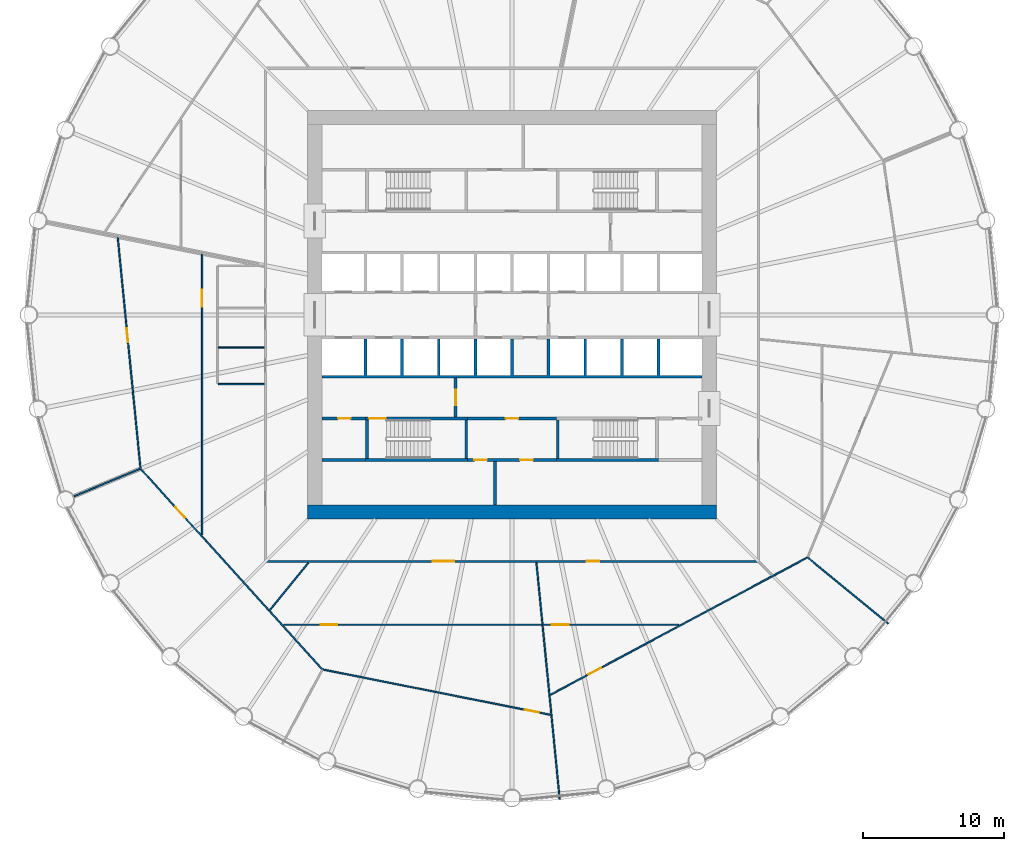
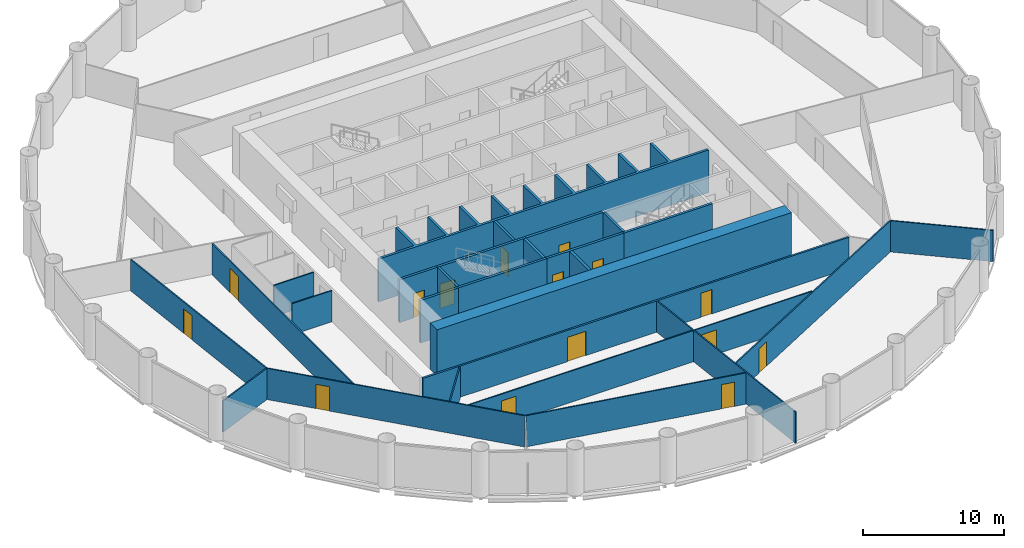
# One storey, part 4 of 9: 28 walls, 15 doors, 15 openings.
"""IFC4 building model written with IfcOpenShell, lengths in metres."""

from ifc_helpers import new_model, si_unit, direction, frame, frame_2d, origin, place, context, subcontext, project, spatial, polyline, rectangle, outline, extrude, material, layer, layer_set, type_object, element, fill, save


model = new_model("IFC4")

# Units and contexts
model_context = context("Model", 3, precision=1e-05, world=origin(), true_north=direction((0.0, 1.0)))
body_context = subcontext(model_context, "Body", "Model", "MODEL_VIEW")
ifc_project = project(units=[si_unit("LENGTHUNIT", "METRE"), si_unit("AREAUNIT", "SQUARE_METRE"), si_unit("VOLUMEUNIT", "CUBIC_METRE"), si_unit("PLANEANGLEUNIT", "RADIAN"), si_unit("MASSUNIT", "GRAM", prefix="KILO")], contexts=[model_context])

# Site, building, storey
site_placement = place(None, origin())
site = spatial("IfcSite", under=ifc_project, at=site_placement, CompositionType="ELEMENT")
building_placement = place(site_placement, origin())
building = spatial("IfcBuilding", under=site, at=building_placement, Name="Corvane Civic Tower", CompositionType="ELEMENT")
storey_placement = place(building_placement, frame((0.0, 0.0, 102.5)))
storey = spatial("IfcBuildingStorey", under=building, at=storey_placement, Name="L23", CompositionType="ELEMENT", Elevation=102.5)

# Wall
ifc_material_1 = material(Name="Concrete C70/85", Category="concrete")
ifc_layer_1 = layer(ifc_material_1, 1.0)
ifc_layer_set_1 = layer_set([ifc_layer_1], Name="Concrete C70/85")
wall_type_1 = type_object("IfcWallType", Name="CORE WALL 1000 C70/85", PredefinedType="SHEAR", material=ifc_layer_set_1)
wall_1_placement = place(storey_placement, frame((-14.5, -14.0, 0.0), z_axis=(0.0, 0.0, 1.0), x_axis=(1.0, 0.0, 0.0)))
element("IfcWall", 1, at=wall_1_placement, inside=storey, type_object=wall_type_1, Name="W-L23-core-S", PredefinedType="SHEAR", context=body_context, shape_type="SweptSolid", body=[
    extrude(rectangle(XDim=29.0, YDim=1.0, at=frame_2d((14.5, 0.0))), origin(), (0.0, 0.0, 1.0), 4.0),
])

# Wall, openings, doors
ifc_material_2 = material(Name="Concrete C30/37", Category="concrete")
ifc_layer_2 = layer(ifc_material_2, 0.199951171875)
ifc_layer_set_2 = layer_set([ifc_layer_2], Name="Concrete C30/37")
wall_type_2 = type_object("IfcWallType", Name="CR-WALL-200", PredefinedType="PARTITIONING", material=ifc_layer_set_2)
wall_2_placement = place(storey_placement, frame((-3.14990234375, -10.300048828125, 0.0), z_axis=(0.0, 0.0, 1.0), x_axis=(1.0, 0.0, 0.0)))
wall_2 = element("IfcWall", 2, at=wall_2_placement, inside=storey, type_object=wall_type_2, Name="L23 partition wall", PredefinedType="PARTITIONING", context=body_context, shape_type="SweptSolid", body=[
    extrude(rectangle(XDim=6.2998046875, YDim=0.199951171875, at=frame_2d((3.14990234375, 0.0))), origin(), (0.0, 0.0, 1.0), 3.699951171875),
])
opening_1_placement = place(wall_2_placement, frame((0.47509765625, 0.0, 0.0)))
opening_1 = element("IfcOpeningElement", 3, at=opening_1_placement, cuts=wall_2, Name="Opening L23.C06", PredefinedType="OPENING", context=body_context, shape_type="SweptSolid", body=[
    extrude(rectangle(XDim=0.89990234375, YDim=2.10009765625, at=frame_2d((0.449951171875, 1.050048828125))), frame((0.0, 0.10986328125, 0.0), z_axis=(0.0, -1.0, 0.0), x_axis=(1.0, 0.0, 0.0)), (0.0, 0.0, 1.0), 0.219970703125),
])
opening_2_placement = place(wall_2_placement, frame((3.72509765625, 0.0, 0.0)))
opening_2 = element("IfcOpeningElement", 4, at=opening_2_placement, cuts=wall_2, Name="Opening L23.C07", PredefinedType="OPENING", context=body_context, shape_type="SweptSolid", body=[
    extrude(rectangle(XDim=0.89990234375, YDim=2.10009765625, at=frame_2d((0.449951171875, 1.050048828125))), frame((0.0, 0.10986328125, 0.0), z_axis=(0.0, -1.0, 0.0), x_axis=(1.0, 0.0, 0.0)), (0.0, 0.0, 1.0), 0.219970703125),
])
ifc_material_3 = material(Name="Steel fire door leaf", Category="steel")
door_type_1 = type_object("IfcDoorType", Name="CR-DOOR-900", OperationType="SINGLE_SWING_LEFT", PredefinedType="DOOR", material=ifc_material_3)
door_1_placement = place(opening_1_placement, origin())
door_1 = element("IfcDoor", 5, at=door_1_placement, inside=storey, type_object=door_type_1, Name="L23 door", OperationType="SINGLE_SWING_LEFT", OverallHeight=2.10009765625, OverallWidth=0.89990234375, PredefinedType="DOOR", context=body_context, shape_type="SweptSolid", body=[
    extrude(rectangle(XDim=0.89990234375, YDim=2.10009765625, at=frame_2d((0.449951171875, 1.050048828125))), frame((0.0, 0.02490234375, 0.0), z_axis=(0.0, -1.0, 0.0), x_axis=(1.0, 0.0, 0.0)), (0.0, 0.0, 1.0), 0.050048828125),
])
fill(opening_1, door_1)
door_2_placement = place(opening_2_placement, origin())
door_2 = element("IfcDoor", 6, at=door_2_placement, inside=storey, type_object=door_type_1, Name="L23 door", OperationType="SINGLE_SWING_LEFT", OverallHeight=2.10009765625, OverallWidth=0.89990234375, PredefinedType="DOOR", context=body_context, shape_type="SweptSolid", body=[
    extrude(rectangle(XDim=0.89990234375, YDim=2.10009765625, at=frame_2d((0.449951171875, 1.050048828125))), frame((0.0, 0.02490234375, 0.0), z_axis=(0.0, -1.0, 0.0), x_axis=(1.0, 0.0, 0.0)), (0.0, 0.0, 1.0), 0.050048828125),
])
fill(opening_2, door_2)

# Wall, opening, door
wall_3_placement = place(storey_placement, frame((-13.5, -7.35009765625, 0.0), z_axis=(0.0, 0.0, 1.0), x_axis=(1.0, 0.0, 0.0)))
wall_3 = element("IfcWall", 7, at=wall_3_placement, inside=storey, type_object=wall_type_2, Name="L23 core partition wall", PredefinedType="PARTITIONING", context=body_context, shape_type="SweptSolid", body=[
    extrude(rectangle(XDim=3.10009765625, YDim=0.199951171875, at=frame_2d((1.550048828125, 0.0))), origin(), (0.0, 0.0, 1.0), 3.699951171875),
])
opening_3_placement = place(wall_3_placement, frame((1.14990234375, 0.0, 0.0)))
opening_3 = element("IfcOpeningElement", 8, at=opening_3_placement, cuts=wall_3, Name="Opening L23.C09", PredefinedType="OPENING", context=body_context, shape_type="SweptSolid", body=[
    extrude(rectangle(XDim=0.89990234375, YDim=2.10009765625, at=frame_2d((0.449951171875, 1.050048828125))), frame((0.0, 0.10986328125, 0.0), z_axis=(0.0, -1.0, 0.0), x_axis=(1.0, 0.0, 0.0)), (0.0, 0.0, 1.0), 0.219970703125),
])
door_3_placement = place(opening_3_placement, origin())
door_3 = element("IfcDoor", 9, at=door_3_placement, inside=storey, type_object=door_type_1, Name="L23 door", OperationType="SINGLE_SWING_LEFT", OverallHeight=2.10009765625, OverallWidth=0.89990234375, PredefinedType="DOOR", context=body_context, shape_type="SweptSolid", body=[
    extrude(rectangle(XDim=0.89990234375, YDim=2.10009765625, at=frame_2d((0.449951171875, 1.050048828125))), frame((0.0, 0.02490234375, 0.0), z_axis=(0.0, -1.0, 0.0), x_axis=(1.0, 0.0, 0.0)), (0.0, 0.0, 1.0), 0.050048828125),
])
fill(opening_3, door_3)

wall_4_placement = place(storey_placement, frame((-3.14990234375, -7.35009765625, 0.0), z_axis=(0.0, 0.0, 1.0), x_axis=(1.0, 0.0, 0.0)))
wall_4 = element("IfcWall", 10, at=wall_4_placement, inside=storey, type_object=wall_type_2, Name="L23 core partition wall", PredefinedType="PARTITIONING", context=body_context, shape_type="SweptSolid", body=[
    extrude(rectangle(XDim=6.2998046875, YDim=0.199951171875, at=frame_2d((3.14990234375, 0.0))), origin(), (0.0, 0.0, 1.0), 3.699951171875),
])
opening_4_placement = place(wall_4_placement, frame((2.699951171875, 0.0, 0.0)))
opening_4 = element("IfcOpeningElement", 11, at=opening_4_placement, cuts=wall_4, Name="Opening L23.C03", PredefinedType="OPENING", context=body_context, shape_type="SweptSolid", body=[
    extrude(rectangle(XDim=0.89990234375, YDim=2.10009765625, at=frame_2d((0.449951171875, 1.050048828125))), frame((0.0, 0.10986328125, 0.0), z_axis=(0.0, -1.0, 0.0), x_axis=(1.0, 0.0, 0.0)), (0.0, 0.0, 1.0), 0.219970703125),
])
door_4_placement = place(opening_4_placement, origin())
door_4 = element("IfcDoor", 12, at=door_4_placement, inside=storey, type_object=door_type_1, Name="L23 door", OperationType="SINGLE_SWING_LEFT", OverallHeight=2.10009765625, OverallWidth=0.89990234375, PredefinedType="DOOR", context=body_context, shape_type="SweptSolid", body=[
    extrude(rectangle(XDim=0.89990234375, YDim=2.10009765625, at=frame_2d((0.449951171875, 1.050048828125))), frame((0.0, 0.02490234375, 0.0), z_axis=(0.0, -1.0, 0.0), x_axis=(1.0, 0.0, 0.0)), (0.0, 0.0, 1.0), 0.050048828125),
])
fill(opening_4, door_4)

wall_5_placement = place(storey_placement, frame((-4.0, -7.25, 0.0), z_axis=(0.0, 0.0, 1.0), x_axis=(0.0, 1.0, 0.0)))
wall_5 = element("IfcWall", 13, at=wall_5_placement, inside=storey, type_object=wall_type_2, Name="L23 core partition wall", PredefinedType="PARTITIONING", context=body_context, shape_type="SweptSolid", body=[
    extrude(rectangle(XDim=2.75, YDim=0.199951171875, at=frame_2d((1.375, 0.0))), origin(), (0.0, 0.0, 1.0), 3.699951171875),
])
opening_5_placement = place(wall_5_placement, frame((0.824951171875, 0.0, 0.0)))
opening_5 = element("IfcOpeningElement", 14, at=opening_5_placement, cuts=wall_5, Name="Opening L23.C19", PredefinedType="OPENING", context=body_context, shape_type="SweptSolid", body=[
    extrude(rectangle(XDim=1.10009765625, YDim=2.10009765625, at=frame_2d((0.550048828125, 1.050048828125))), frame((0.0, 0.10986328125, 0.0), z_axis=(0.0, -1.0, 0.0), x_axis=(1.0, 0.0, 0.0)), (0.0, 0.0, 1.0), 0.219970703125),
])
ifc_material_4 = material(Name="Steel fire door leaf", Category="steel")
door_type_2 = type_object("IfcDoorType", Name="CR-DOOR-FFL-1100", OperationType="SINGLE_SWING_LEFT", PredefinedType="DOOR", material=ifc_material_4)
door_5_placement = place(opening_5_placement, origin())
door_5 = element("IfcDoor", 15, at=door_5_placement, inside=storey, type_object=door_type_2, Name="L23 lobby door", OperationType="SINGLE_SWING_LEFT", OverallHeight=2.10009765625, OverallWidth=1.10009765625, PredefinedType="DOOR", context=body_context, shape_type="SweptSolid", body=[
    extrude(rectangle(XDim=1.10009765625, YDim=2.10009765625, at=frame_2d((0.550048828125, 1.050048828125))), frame((0.0, 0.02490234375, 0.0), z_axis=(0.0, -1.0, 0.0), x_axis=(1.0, 0.0, 0.0)), (0.0, 0.0, 1.0), 0.050048828125),
])
fill(opening_5, door_5)

# Walls
wall_6_placement = place(storey_placement, origin())
element("IfcWall", 16, at=wall_6_placement, inside=storey, type_object=wall_type_2, Name="L23 core partition wall", PredefinedType="PARTITIONING", context=body_context, shape_type="SweptSolid", body=[
    extrude(outline(polyline([(-10.39990234375, -10.39990234375), (-13.5, -10.39990234375), (-13.5, -10.199951171875), (-10.39990234375, -10.199951171875), (-10.39990234375, -10.39990234375)])), origin(), (0.0, 0.0, 1.0), 3.699951171875),
])
wall_7_placement = place(storey_placement, origin())
element("IfcWall", 17, at=wall_7_placement, inside=storey, type_object=wall_type_2, Name="L23 core partition wall", PredefinedType="PARTITIONING", context=body_context, shape_type="SweptSolid", body=[
    extrude(outline(polyline([(-1.10009765625, -10.39990234375), (-1.10009765625, -13.5), (-1.300048828125, -13.5), (-1.300048828125, -10.39990234375), (-1.10009765625, -10.39990234375)])), origin(), (0.0, 0.0, 1.0), 3.699951171875),
])
wall_8_placement = place(storey_placement, origin())
element("IfcWall", 18, at=wall_8_placement, inside=storey, type_object=wall_type_2, Name="L23 core partition wall", PredefinedType="PARTITIONING", context=body_context, shape_type="SweptSolid", body=[
    extrude(outline(polyline([(-10.5, -1.699951171875), (-10.300048828125, -1.699951171875), (-10.300048828125, -4.300048828125), (-7.89990234375, -4.300048828125), (-7.89990234375, -1.699951171875), (-7.699951171875, -1.699951171875), (-7.699951171875, -4.300048828125), (-5.300048828125, -4.300048828125), (-5.300048828125, -1.699951171875), (-5.10009765625, -1.699951171875), (-5.10009765625, -4.300048828125), (-2.699951171875, -4.300048828125), (-2.699951171875, -1.699951171875), (-2.5, -1.699951171875), (-2.5, -4.300048828125), (-0.10009765625, -4.300048828125), (-0.10009765625, -1.699951171875), (0.10009765625, -1.699951171875), (0.10009765625, -4.300048828125), (2.5, -4.300048828125), (2.5, -1.699951171875), (2.699951171875, -1.699951171875), (2.699951171875, -4.300048828125), (5.10009765625, -4.300048828125), (5.10009765625, -1.699951171875), (5.300048828125, -1.699951171875), (5.300048828125, -4.300048828125), (7.699951171875, -4.300048828125), (7.699951171875, -1.699951171875), (7.89990234375, -1.699951171875), (7.89990234375, -4.300048828125), (10.300048828125, -4.300048828125), (10.300048828125, -1.699951171875), (10.5, -1.699951171875), (10.5, -4.300048828125), (13.5, -4.300048828125), (13.5, -4.5), (-13.5, -4.5), (-13.5, -4.300048828125), (-10.5, -4.300048828125), (-10.5, -1.699951171875)])), origin(), (0.0, 0.0, 1.0), 3.699951171875),
])
ifc_material_5 = material(Name="Plasterboard")
ifc_layer_3 = layer(ifc_material_5, 0.10009765625)
ifc_layer_set_3 = layer_set([ifc_layer_3], Name="Plasterboard")
wall_type_3 = type_object("IfcWallType", Name="Partition 100 plasterboard on studs", PredefinedType="PARTITIONING", material=ifc_layer_set_3)
wall_9_placement = place(storey_placement, frame((2.172119140625, -22.054931640625, 0.0), z_axis=(0.0, 0.0, 1.0), x_axis=(0.09802265645, -0.995184183366, 0.0)))
element("IfcWall", 19, at=wall_9_placement, inside=storey, type_object=wall_type_3, Name="Partition L23.001", PredefinedType="PARTITIONING", context=body_context, shape_type="SweptSolid", body=[
    extrude(rectangle(XDim=12.388427734375, YDim=0.10009765625, at=frame_2d((6.1943359375, 0.0))), origin(), (0.0, 0.0, 1.0), 2.699951171875),
])

# Wall, opening, door
wall_10_placement = place(storey_placement, frame((-13.418701171875, -25.1796875, 0.0), z_axis=(0.0, 0.0, 1.0), x_axis=(0.980783722721, -0.195098152849, 0.0)))
wall_10 = element("IfcWall", 20, at=wall_10_placement, inside=storey, type_object=wall_type_3, Name="Partition L23.003", PredefinedType="PARTITIONING", context=body_context, shape_type="SweptSolid", body=[
    extrude(rectangle(XDim=16.466796875, YDim=0.10009765625, at=frame_2d((8.2333984375, 0.0))), origin(), (0.0, 0.0, 1.0), 2.699951171875),
])
opening_6_placement = place(wall_10_placement, frame((14.620361328125, 0.0, 0.0)))
opening_6 = element("IfcOpeningElement", 21, at=opening_6_placement, cuts=wall_10, Name="Opening L23.011", PredefinedType="OPENING", context=body_context, shape_type="SweptSolid", body=[
    extrude(rectangle(XDim=1.0, YDim=2.10009765625, at=frame_2d((0.5, 1.050048828125))), frame((0.0, 0.06005859375, 0.0), z_axis=(0.0, -1.0, 0.0), x_axis=(1.0, 0.0, 0.0)), (0.0, 0.0, 1.0), 0.1201171875),
])
ifc_material_6 = material(Name="Timber", Category="wood")
door_type_3 = type_object("IfcDoorType", Name="Single door 1000", OperationType="NOTDEFINED", PredefinedType="DOOR", material=ifc_material_6)
door_6_placement = place(opening_6_placement, frame((1.0, 0.0, 0.0), z_axis=(0.0, 0.0, 1.0), x_axis=(-1.0, 0.0, 0.0)))
door_6 = element("IfcDoor", 22, at=door_6_placement, inside=storey, type_object=door_type_3, Name="Door L23.011", OperationType="SINGLE_SWING_RIGHT", OverallHeight=2.10009765625, OverallWidth=1.0, PredefinedType="DOOR", context=body_context, shape_type="SweptSolid", body=[
    extrude(rectangle(XDim=1.0, YDim=2.10009765625, at=frame_2d((0.5, 1.050048828125))), frame((0.0, 0.02490234375, 0.0), z_axis=(0.0, -1.0, 0.0), x_axis=(1.0, 0.0, 0.0)), (0.0, 0.0, 1.0), 0.050048828125),
])
fill(opening_6, door_6)

wall_11_placement = place(storey_placement, frame((2.726318359375, -26.975341796875, 0.0), z_axis=(0.0, 0.0, 1.0), x_axis=(0.881924809463, 0.471390104323, 0.0)))
wall_11 = element("IfcWall", 23, at=wall_11_placement, inside=storey, type_object=wall_type_3, Name="Partition L23.004", PredefinedType="PARTITIONING", context=body_context, shape_type="SweptSolid", body=[
    extrude(rectangle(XDim=20.664794921875, YDim=0.10009765625, at=frame_2d((10.33251953125, 0.0))), origin(), (0.0, 0.0, 1.0), 2.699951171875),
])
opening_7_placement = place(wall_11_placement, frame((3.060302734375, 0.0, 0.0)))
opening_7 = element("IfcOpeningElement", 24, at=opening_7_placement, cuts=wall_11, Name="Opening L23.006", PredefinedType="OPENING", context=body_context, shape_type="SweptSolid", body=[
    extrude(rectangle(XDim=1.0, YDim=2.10009765625, at=frame_2d((0.5, 1.050048828125))), frame((0.0, 0.06005859375, 0.0), z_axis=(0.0, -1.0, 0.0), x_axis=(1.0, 0.0, 0.0)), (0.0, 0.0, 1.0), 0.1201171875),
])
door_7_placement = place(opening_7_placement, frame((1.0, 0.0, 0.0), z_axis=(0.0, 0.0, 1.0), x_axis=(-1.0, 0.0, 0.0)))
door_7 = element("IfcDoor", 25, at=door_7_placement, inside=storey, type_object=door_type_3, Name="Door L23.006", OperationType="SINGLE_SWING_LEFT", OverallHeight=2.10009765625, OverallWidth=1.0, PredefinedType="DOOR", context=body_context, shape_type="SweptSolid", body=[
    extrude(rectangle(XDim=1.0, YDim=2.10009765625, at=frame_2d((0.5, 1.050048828125))), frame((0.0, 0.02490234375, 0.0), z_axis=(0.0, -1.0, 0.0), x_axis=(1.0, 0.0, 0.0)), (0.0, 0.0, 1.0), 0.050048828125),
])
fill(opening_7, door_7)

wall_12_placement = place(storey_placement, frame((-26.3466796875, -10.94921875, 0.0), z_axis=(0.0, 0.0, 1.0), x_axis=(0.671566645521, -0.740944154862, 0.0)))
wall_12 = element("IfcWall", 26, at=wall_12_placement, inside=storey, type_object=wall_type_3, Name="Partition L23.005", PredefinedType="PARTITIONING", context=body_context, shape_type="SweptSolid", body=[
    extrude(rectangle(XDim=19.1611328125, YDim=0.10009765625, at=frame_2d((9.58056640625, 0.0))), origin(), (0.0, 0.0, 1.0), 2.699951171875),
])
opening_8_placement = place(wall_12_placement, frame((3.641357421875, 0.0, 0.0)))
opening_8 = element("IfcOpeningElement", 27, at=opening_8_placement, cuts=wall_12, Name="Opening L23.012", PredefinedType="OPENING", context=body_context, shape_type="SweptSolid", body=[
    extrude(rectangle(XDim=1.0, YDim=2.10009765625, at=frame_2d((0.5, 1.050048828125))), frame((0.0, 0.06005859375, 0.0), z_axis=(0.0, -1.0, 0.0), x_axis=(1.0, 0.0, 0.0)), (0.0, 0.0, 1.0), 0.1201171875),
])
door_8_placement = place(opening_8_placement, frame((1.0, 0.0, 0.0), z_axis=(0.0, 0.0, 1.0), x_axis=(-1.0, 0.0, 0.0)))
door_8 = element("IfcDoor", 28, at=door_8_placement, inside=storey, type_object=door_type_3, Name="Door L23.012", OperationType="SINGLE_SWING_LEFT", OverallHeight=2.10009765625, OverallWidth=1.0, PredefinedType="DOOR", context=body_context, shape_type="SweptSolid", body=[
    extrude(rectangle(XDim=1.0, YDim=2.10009765625, at=frame_2d((0.5, 1.050048828125))), frame((0.0, 0.02490234375, 0.0), z_axis=(0.0, -1.0, 0.0), x_axis=(1.0, 0.0, 0.0)), (0.0, 0.0, 1.0), 0.050048828125),
])
fill(opening_8, door_8)

# Wall, openings, doors
wall_13_placement = place(storey_placement, frame((-16.2177734375, -22.0, 0.0), z_axis=(0.0, 0.0, 1.0), x_axis=(1.0, 0.0, 0.0)))
wall_13 = element("IfcWall", 29, at=wall_13_placement, inside=storey, type_object=wall_type_3, Name="Partition L23.006", PredefinedType="PARTITIONING", context=body_context, shape_type="SweptSolid", body=[
    extrude(rectangle(XDim=28.052734375, YDim=0.10009765625, at=frame_2d((14.0263671875, 0.0))), origin(), (0.0, 0.0, 1.0), 2.699951171875),
])
opening_9_placement = place(wall_13_placement, frame((19.031494140625, 0.0, 0.0)))
opening_9 = element("IfcOpeningElement", 30, at=opening_9_placement, cuts=wall_13, Name="Opening L23.007", PredefinedType="OPENING", context=body_context, shape_type="SweptSolid", body=[
    extrude(rectangle(XDim=1.199951171875, YDim=2.10009765625, at=frame_2d((0.60009765625, 1.050048828125))), frame((0.0, 0.06005859375, 0.0), z_axis=(0.0, -1.0, 0.0), x_axis=(1.0, 0.0, 0.0)), (0.0, 0.0, 1.0), 0.1201171875),
])
opening_10_placement = place(wall_13_placement, frame((2.625, 0.0, 0.0)))
opening_10 = element("IfcOpeningElement", 31, at=opening_10_placement, cuts=wall_13, Name="Opening L23.014", PredefinedType="OPENING", context=body_context, shape_type="SweptSolid", body=[
    extrude(rectangle(XDim=1.199951171875, YDim=2.10009765625, at=frame_2d((0.60009765625, 1.050048828125))), frame((0.0, 0.06005859375, 0.0), z_axis=(0.0, -1.0, 0.0), x_axis=(1.0, 0.0, 0.0)), (0.0, 0.0, 1.0), 0.1201171875),
])
ifc_material_7 = material(Name="Timber", Category="wood")
door_type_4 = type_object("IfcDoorType", Name="Double door 1200", OperationType="NOTDEFINED", PredefinedType="DOOR", material=ifc_material_7)
door_9_placement = place(opening_9_placement, frame((1.199951171875, 0.0, 0.0), z_axis=(0.0, 0.0, 1.0), x_axis=(-1.0, 0.0, 0.0)))
door_9 = element("IfcDoor", 32, at=door_9_placement, inside=storey, type_object=door_type_4, Name="Door L23.007", OperationType="DOUBLE_DOOR_SINGLE_SWING", OverallHeight=2.10009765625, OverallWidth=1.199951171875, PredefinedType="DOOR", context=body_context, shape_type="SweptSolid", body=[
    extrude(rectangle(XDim=1.199951171875, YDim=2.10009765625, at=frame_2d((0.60009765625, 1.050048828125))), frame((0.0, 0.02490234375, 0.0), z_axis=(0.0, -1.0, 0.0), x_axis=(1.0, 0.0, 0.0)), (0.0, 0.0, 1.0), 0.050048828125),
])
fill(opening_9, door_9)
door_10_placement = place(opening_10_placement, frame((1.199951171875, 0.0, 0.0), z_axis=(0.0, 0.0, 1.0), x_axis=(-1.0, 0.0, 0.0)))
door_10 = element("IfcDoor", 33, at=door_10_placement, inside=storey, type_object=door_type_4, Name="Door L23.014", OperationType="DOUBLE_DOOR_SINGLE_SWING", OverallHeight=2.10009765625, OverallWidth=1.199951171875, PredefinedType="DOOR", context=body_context, shape_type="SweptSolid", body=[
    extrude(rectangle(XDim=1.199951171875, YDim=2.10009765625, at=frame_2d((0.60009765625, 1.050048828125))), frame((0.0, 0.02490234375, 0.0), z_axis=(0.0, -1.0, 0.0), x_axis=(1.0, 0.0, 0.0)), (0.0, 0.0, 1.0), 0.050048828125),
])
fill(opening_10, door_10)

# Walls
wall_14_placement = place(storey_placement, frame((1.7314453125, -17.579833984375, 0.0), z_axis=(0.0, 0.0, 1.0), x_axis=(0.098017353968, -0.995184705631, 0.0)))
element("IfcWall", 34, at=wall_14_placement, inside=storey, type_object=wall_type_3, Name="Partition L23.007", PredefinedType="PARTITIONING", context=body_context, shape_type="SweptSolid", body=[
    extrude(rectangle(XDim=4.391357421875, YDim=0.10009765625, at=frame_2d((2.19580078125, 0.0))), origin(), (0.0, 0.0, 1.0), 2.699951171875),
])
wall_15_placement = place(storey_placement, frame((21.00927734375, -17.241943359375, 0.0), z_axis=(0.0, 0.0, 1.0), x_axis=(0.77301798358, -0.634384108456, 0.0)))
element("IfcWall", 35, at=wall_15_placement, inside=storey, type_object=wall_type_3, Name="Partition L23.008", PredefinedType="PARTITIONING", context=body_context, shape_type="SweptSolid", body=[
    extrude(rectangle(XDim=7.371826171875, YDim=0.10009765625, at=frame_2d((3.68603515625, 0.0))), origin(), (0.0, 0.0, 1.0), 2.699951171875),
])
wall_16_placement = place(storey_placement, frame((-17.19873046875, -20.956787109375, 0.0), z_axis=(0.0, 0.0, 1.0), x_axis=(0.634381355244, 0.77302024302, 0.0)))
element("IfcWall", 36, at=wall_16_placement, inside=storey, type_object=wall_type_3, Name="Partition L23.009", PredefinedType="PARTITIONING", context=body_context, shape_type="SweptSolid", body=[
    extrude(rectangle(XDim=4.333740234375, YDim=0.10009765625, at=frame_2d((2.1669921875, 0.0))), origin(), (0.0, 0.0, 1.0), 2.699951171875),
])

# Wall, opening, door
wall_17_placement = place(storey_placement, frame((-22.0, -15.615234375, 0.0), z_axis=(0.0, 0.0, 1.0), x_axis=(0.0, 1.0, 0.0)))
wall_17 = element("IfcWall", 37, at=wall_17_placement, inside=storey, type_object=wall_type_3, Name="Partition L23.015", PredefinedType="PARTITIONING", context=body_context, shape_type="SweptSolid", body=[
    extrude(rectangle(XDim=19.930419921875, YDim=0.10009765625, at=frame_2d((9.96533203125, 0.0))), origin(), (0.0, 0.0, 1.0), 2.699951171875),
])
opening_11_placement = place(wall_17_placement, frame((16.201171875, 0.0, 0.0)))
opening_11 = element("IfcOpeningElement", 38, at=opening_11_placement, cuts=wall_17, Name="Opening L23.015", PredefinedType="OPENING", context=body_context, shape_type="SweptSolid", body=[
    extrude(rectangle(XDim=1.199951171875, YDim=2.10009765625, at=frame_2d((0.60009765625, 1.050048828125))), frame((0.0, 0.06005859375, 0.0), z_axis=(0.0, -1.0, 0.0), x_axis=(1.0, 0.0, 0.0)), (0.0, 0.0, 1.0), 0.1201171875),
])
door_11_placement = place(opening_11_placement, origin())
door_11 = element("IfcDoor", 39, at=door_11_placement, inside=storey, type_object=door_type_4, Name="Door L23.015", OperationType="DOUBLE_DOOR_SINGLE_SWING", OverallHeight=2.10009765625, OverallWidth=1.199951171875, PredefinedType="DOOR", context=body_context, shape_type="SweptSolid", body=[
    extrude(rectangle(XDim=1.199951171875, YDim=2.10009765625, at=frame_2d((0.60009765625, 1.050048828125))), frame((0.0, 0.02490234375, 0.0), z_axis=(0.0, -1.0, 0.0), x_axis=(1.0, 0.0, 0.0)), (0.0, 0.0, 1.0), 0.050048828125),
])
fill(opening_11, door_11)

# Wall
wall_18_placement = place(storey_placement, frame((-31.102294921875, -12.883056640625, 0.0), z_axis=(0.0, 0.0, 1.0), x_axis=(0.923884580387, 0.382671245488, 0.0)))
element("IfcWall", 40, at=wall_18_placement, inside=storey, type_object=wall_type_3, Name="Partition L23.017", PredefinedType="PARTITIONING", context=body_context, shape_type="SweptSolid", body=[
    extrude(rectangle(XDim=5.084716796875, YDim=0.10009765625, at=frame_2d((2.54248046875, 0.0))), origin(), (0.0, 0.0, 1.0), 2.699951171875),
])

# Wall, opening, door
wall_19_placement = place(storey_placement, frame((-27.98779296875, 5.50146484375, 0.0), z_axis=(0.0, 0.0, 1.0), x_axis=(0.0980018916, -0.995186228423, 0.0)))
wall_19 = element("IfcWall", 41, at=wall_19_placement, inside=storey, type_object=wall_type_3, Name="Partition L23.018", PredefinedType="PARTITIONING", context=body_context, shape_type="SweptSolid", body=[
    extrude(rectangle(XDim=16.466796875, YDim=0.10009765625, at=frame_2d((8.2333984375, 0.0))), origin(), (0.0, 0.0, 1.0), 2.699951171875),
])
opening_12_placement = place(wall_19_placement, frame((6.4755859375, 0.0, 0.0)))
opening_12 = element("IfcOpeningElement", 42, at=opening_12_placement, cuts=wall_19, Name="Opening L23.013", PredefinedType="OPENING", context=body_context, shape_type="SweptSolid", body=[
    extrude(rectangle(XDim=1.0, YDim=2.10009765625, at=frame_2d((0.5, 1.050048828125))), frame((0.0, 0.06005859375, 0.0), z_axis=(0.0, -1.0, 0.0), x_axis=(1.0, 0.0, 0.0)), (0.0, 0.0, 1.0), 0.1201171875),
])
door_12_placement = place(opening_12_placement, frame((1.0, 0.0, 0.0), z_axis=(0.0, 0.0, 1.0), x_axis=(-1.0, 0.0, 0.0)))
door_12 = element("IfcDoor", 43, at=door_12_placement, inside=storey, type_object=door_type_3, Name="Door L23.013", OperationType="SINGLE_SWING_LEFT", OverallHeight=2.10009765625, OverallWidth=1.0, PredefinedType="DOOR", context=body_context, shape_type="SweptSolid", body=[
    extrude(rectangle(XDim=1.0, YDim=2.10009765625, at=frame_2d((0.5, 1.050048828125))), frame((0.0, 0.02490234375, 0.0), z_axis=(0.0, -1.0, 0.0), x_axis=(1.0, 0.0, 0.0)), (0.0, 0.0, 1.0), 0.050048828125),
])
fill(opening_12, door_12)

# Walls
for number, where, z_axis, x_axis, name in (
    (44, (-20.85009765625, -4.9189453125, 0.0), (0.0, 0.0, 1.0), (1.0, 0.0, 0.0), "Partition L23.019"),
    (45, (-20.85009765625, -2.319091796875, 0.0), (0.0, 0.0, 1.0), (1.0, 0.0, 0.0), "Partition L23.023"),
):
    element("IfcWall", number, at=place(storey_placement, frame(where, z_axis=z_axis, x_axis=x_axis)), inside=storey, type_object=wall_type_3, Name=name, PredefinedType="PARTITIONING", context=body_context, shape_type="SweptSolid", body=[
        extrude(rectangle(XDim=3.275146484375, YDim=0.10009765625, at=frame_2d((1.6376953125, 0.0))), origin(), (0.0, 0.0, 1.0), 2.699951171875),
    ])

# Wall, opening, door
ifc_material_8 = material(Name="Concrete C50/60", Category="concrete")
ifc_layer_4 = layer(ifc_material_8, 0.199951171875)
ifc_layer_set_4 = layer_set([ifc_layer_4], Name="Concrete C50/60")
wall_type_4 = type_object("IfcWallType", Name="ST-WALL-200", PredefinedType="SHEAR", material=ifc_layer_set_4)
wall_20_placement = place(storey_placement, frame((-10.39990234375, -7.35009765625, 0.0), z_axis=(0.0, 0.0, 1.0), x_axis=(1.0, 0.0, 0.0)))
wall_20 = element("IfcWall", 46, at=wall_20_placement, inside=storey, type_object=wall_type_4, Name="L23 stair enclosure wall", PredefinedType="SHEAR", context=body_context, shape_type="SweptSolid", body=[
    extrude(rectangle(XDim=7.25, YDim=0.199951171875, at=frame_2d((3.625, 0.0))), origin(), (0.0, 0.0, 1.0), 3.699951171875),
])
opening_13_placement = place(wall_20_placement, frame((0.25, 0.0, 0.0)))
opening_13 = element("IfcOpeningElement", 47, at=opening_13_placement, cuts=wall_20, Name="Opening L23.C15", PredefinedType="OPENING", context=body_context, shape_type="SweptSolid", body=[
    extrude(rectangle(XDim=1.199951171875, YDim=2.10009765625, at=frame_2d((0.60009765625, 1.050048828125))), frame((0.0, 0.10986328125, 0.0), z_axis=(0.0, -1.0, 0.0), x_axis=(1.0, 0.0, 0.0)), (0.0, 0.0, 1.0), 0.219970703125),
])
ifc_material_9 = material(Name="Steel fire door leaf", Category="steel")
door_type_5 = type_object("IfcDoorType", Name="ST-DOOR-1200", OperationType="SINGLE_SWING_RIGHT", PredefinedType="DOOR", material=ifc_material_9)
door_13_placement = place(opening_13_placement, origin())
door_13 = element("IfcDoor", 48, at=door_13_placement, inside=storey, type_object=door_type_5, Name="L23 stair door", OperationType="SINGLE_SWING_RIGHT", OverallHeight=2.10009765625, OverallWidth=1.199951171875, PredefinedType="DOOR", context=body_context, shape_type="SweptSolid", body=[
    extrude(rectangle(XDim=1.199951171875, YDim=2.10009765625, at=frame_2d((0.60009765625, 1.050048828125))), frame((0.0, 0.02490234375, 0.0), z_axis=(0.0, -1.0, 0.0), x_axis=(1.0, 0.0, 0.0)), (0.0, 0.0, 1.0), 0.050048828125),
])
fill(opening_13, door_13)

# Walls
wall_21_placement = place(storey_placement, origin())
element("IfcWall", 49, at=wall_21_placement, inside=storey, type_object=wall_type_4, Name="L23 stair enclosure wall", PredefinedType="SHEAR", context=body_context, shape_type="SweptSolid", body=[
    extrude(outline(polyline([(-3.14990234375, -10.199951171875), (-3.14990234375, -10.39990234375), (-10.39990234375, -10.39990234375), (-10.39990234375, -10.199951171875), (-3.14990234375, -10.199951171875)])), origin(), (0.0, 0.0, 1.0), 3.699951171875),
])
wall_22_placement = place(storey_placement, origin())
element("IfcWall", 50, at=wall_22_placement, inside=storey, type_object=wall_type_4, Name="L23 stair enclosure wall", PredefinedType="SHEAR", context=body_context, shape_type="SweptSolid", body=[
    extrude(outline(polyline([(10.39990234375, -10.39990234375), (3.14990234375, -10.39990234375), (3.14990234375, -10.199951171875), (10.39990234375, -10.199951171875), (10.39990234375, -10.39990234375)])), origin(), (0.0, 0.0, 1.0), 3.699951171875),
])
wall_23_placement = place(storey_placement, origin())
element("IfcWall", 51, at=wall_23_placement, inside=storey, type_object=wall_type_4, Name="L23 stair enclosure wall", PredefinedType="SHEAR", context=body_context, shape_type="SweptSolid", body=[
    extrude(outline(polyline([(-3.14990234375, -7.449951171875), (-3.14990234375, -10.199951171875), (-3.35009765625, -10.199951171875), (-3.35009765625, -7.449951171875), (-3.14990234375, -7.449951171875)])), origin(), (0.0, 0.0, 1.0), 3.699951171875),
])
wall_24_placement = place(storey_placement, origin())
element("IfcWall", 52, at=wall_24_placement, inside=storey, type_object=wall_type_4, Name="L23 stair enclosure wall", PredefinedType="SHEAR", context=body_context, shape_type="SweptSolid", body=[
    extrude(outline(polyline([(3.35009765625, -7.449951171875), (3.35009765625, -10.199951171875), (3.14990234375, -10.199951171875), (3.14990234375, -7.449951171875), (3.35009765625, -7.449951171875)])), origin(), (0.0, 0.0, 1.0), 3.699951171875),
])
wall_25_placement = place(storey_placement, origin())
element("IfcWall", 53, at=wall_25_placement, inside=storey, type_object=wall_type_4, Name="L23 stair enclosure wall", PredefinedType="SHEAR", context=body_context, shape_type="SweptSolid", body=[
    extrude(outline(polyline([(-10.199951171875, -7.449951171875), (-10.199951171875, -10.199951171875), (-10.39990234375, -10.199951171875), (-10.39990234375, -7.449951171875), (-10.199951171875, -7.449951171875)])), origin(), (0.0, 0.0, 1.0), 3.699951171875),
])

# Wall, openings, doors
ifc_material_10 = material(Name="Plasterboard")
ifc_layer_5 = layer(ifc_material_10, 0.14990234375)
ifc_layer_set_5 = layer_set([ifc_layer_5], Name="Plasterboard")
wall_type_5 = type_object("IfcWallType", Name="Tenancy wall 150 EI 60", PredefinedType="PARTITIONING", material=ifc_layer_set_5)
wall_26_placement = place(storey_placement, frame((-17.425048828125, -17.5, 0.0), z_axis=(0.0, 0.0, 1.0), x_axis=(1.0, 0.0, 0.0)))
wall_26 = element("IfcWall", 54, at=wall_26_placement, inside=storey, type_object=wall_type_5, Name="Partition L23.011", PredefinedType="PARTITIONING", context=body_context, shape_type="SweptSolid", body=[
    extrude(rectangle(XDim=34.85009765625, YDim=0.14990234375, at=frame_2d((17.425048828125, 0.0))), origin(), (0.0, 0.0, 1.0), 2.699951171875),
])
opening_14_placement = place(wall_26_placement, frame((22.724609375, 0.0, 0.0)))
opening_14 = element("IfcOpeningElement", 55, at=opening_14_placement, cuts=wall_26, Name="Opening L23.010", PredefinedType="OPENING", context=body_context, shape_type="SweptSolid", body=[
    extrude(rectangle(XDim=0.89990234375, YDim=2.10009765625, at=frame_2d((0.449951171875, 1.050048828125))), frame((0.0, 0.0849609375, 0.0), z_axis=(0.0, -1.0, 0.0), x_axis=(1.0, 0.0, 0.0)), (0.0, 0.0, 1.0), 0.169921875),
])
opening_15_placement = place(wall_26_placement, frame((11.811279296875, 0.0, 0.0)))
opening_15 = element("IfcOpeningElement", 56, at=opening_15_placement, cuts=wall_26, Name="Opening L23.016", PredefinedType="OPENING", context=body_context, shape_type="SweptSolid", body=[
    extrude(rectangle(XDim=1.5, YDim=2.10009765625, at=frame_2d((0.75, 1.050048828125))), frame((0.0, 0.0849609375, 0.0), z_axis=(0.0, -1.0, 0.0), x_axis=(1.0, 0.0, 0.0)), (0.0, 0.0, 1.0), 0.169921875),
])
ifc_material_11 = material(Name="Steel and timber", Category="steel")
door_type_6 = type_object("IfcDoorType", Name="Fire door FD30S 900", OperationType="NOTDEFINED", PredefinedType="DOOR", material=ifc_material_11)
door_14_placement = place(opening_14_placement, frame((0.89990234375, 0.0, 0.0), z_axis=(0.0, 0.0, 1.0), x_axis=(-1.0, 0.0, 0.0)))
door_14 = element("IfcDoor", 57, at=door_14_placement, inside=storey, type_object=door_type_6, Name="Door L23.010", OperationType="SINGLE_SWING_LEFT", OverallHeight=2.10009765625, OverallWidth=0.89990234375, PredefinedType="DOOR", context=body_context, shape_type="SweptSolid", body=[
    extrude(rectangle(XDim=0.89990234375, YDim=2.10009765625, at=frame_2d((0.449951171875, 1.050048828125))), frame((0.0, 0.02490234375, 0.0), z_axis=(0.0, -1.0, 0.0), x_axis=(1.0, 0.0, 0.0)), (0.0, 0.0, 1.0), 0.050048828125),
])
fill(opening_14, door_14)
ifc_material_12 = material(Name="Steel and timber", Category="steel")
door_type_7 = type_object("IfcDoorType", Name="Fire door FD60 double 1500", OperationType="NOTDEFINED", PredefinedType="DOOR", material=ifc_material_12)
door_15_placement = place(opening_15_placement, frame((1.5, 0.0, 0.0), z_axis=(0.0, 0.0, 1.0), x_axis=(-1.0, 0.0, 0.0)))
door_15 = element("IfcDoor", 58, at=door_15_placement, inside=storey, type_object=door_type_7, Name="Door L23.016", OperationType="DOUBLE_DOOR_SINGLE_SWING", OverallHeight=2.10009765625, OverallWidth=1.5, PredefinedType="DOOR", context=body_context, shape_type="SweptSolid", body=[
    extrude(rectangle(XDim=1.5, YDim=2.10009765625, at=frame_2d((0.75, 1.050048828125))), frame((0.0, 0.02490234375, 0.0), z_axis=(0.0, -1.0, 0.0), x_axis=(1.0, 0.0, 0.0)), (0.0, 0.0, 1.0), 0.050048828125),
])
fill(opening_15, door_15)

save(model, "model.ifc")
